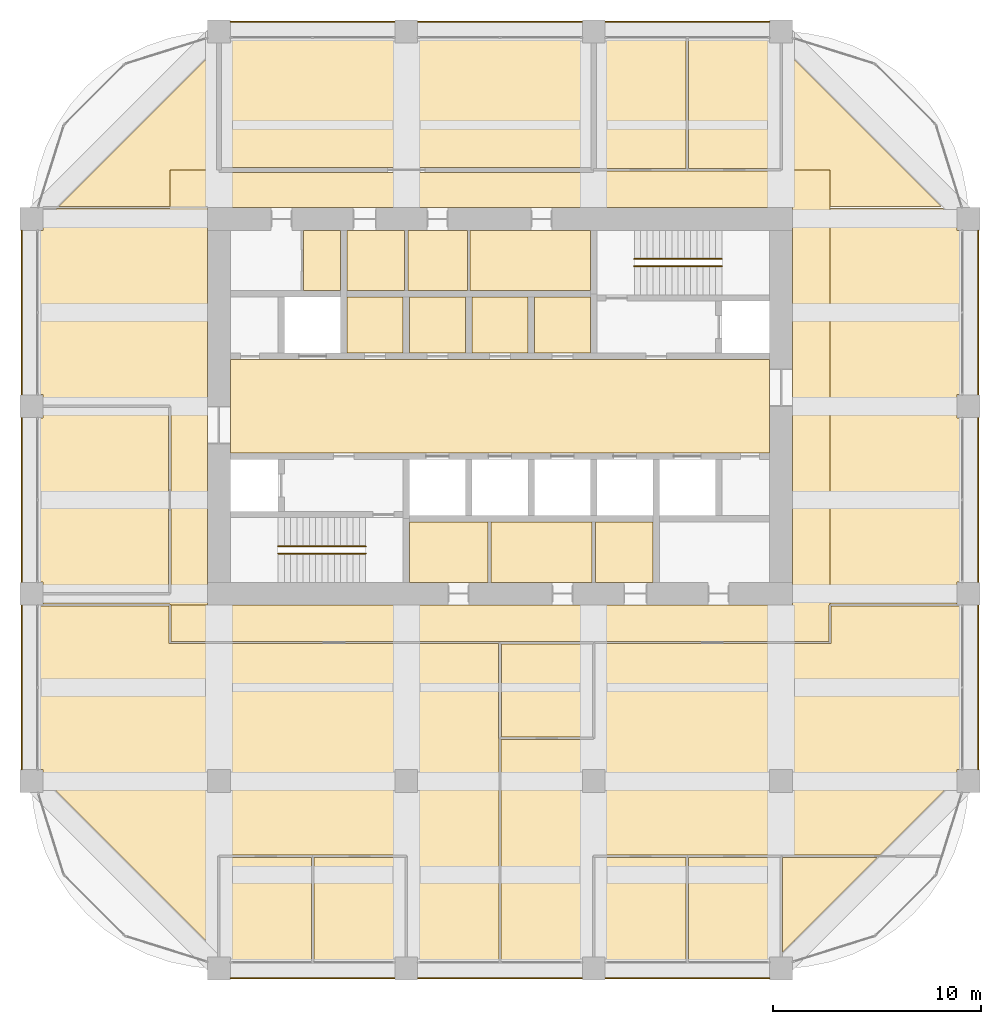
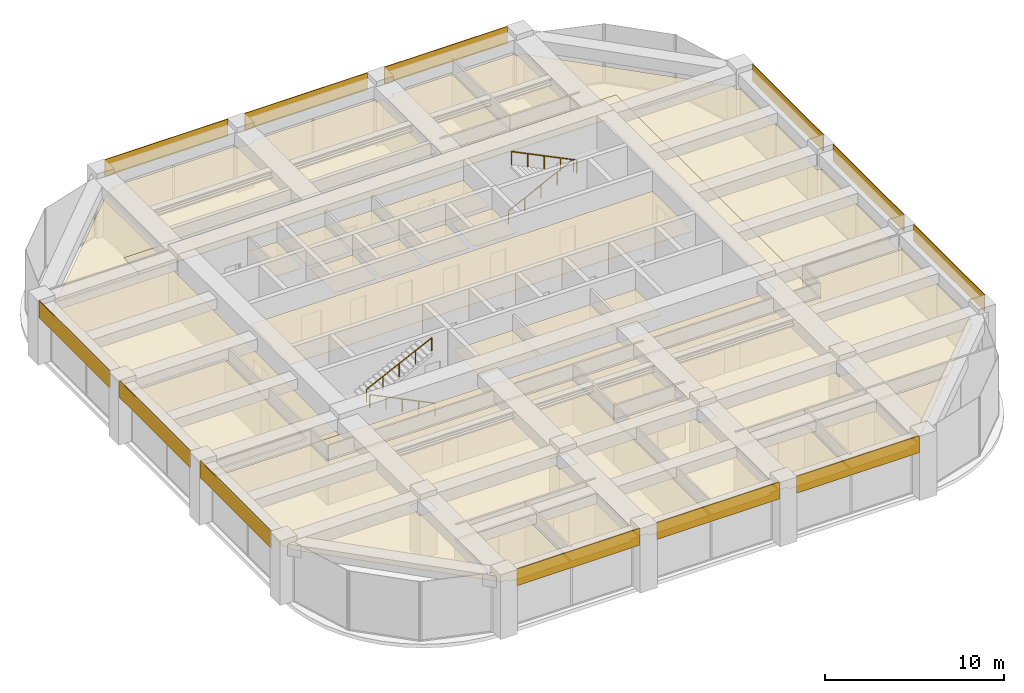
# One storey, part 44 of 44: 41 coverings, 4 railings.
"""IFC4 building model written with IfcOpenShell, lengths in metres."""

from ifc_helpers import new_model, si_unit, direction, frame, frame_2d, origin, origin_2d, place, context, subcontext, project, spatial, polyline, rectangle, circle, outline, extrude, material, layer, layer_set, type_object, element, save


model = new_model("IFC4")

# Units and contexts
model_context = context("Model", 3, precision=1e-05, world=origin(), true_north=direction((0.0, 1.0)))
body_context = subcontext(model_context, "Body", "Model", "MODEL_VIEW")
ifc_project = project(units=[si_unit("LENGTHUNIT", "METRE"), si_unit("AREAUNIT", "SQUARE_METRE"), si_unit("VOLUMEUNIT", "CUBIC_METRE"), si_unit("PLANEANGLEUNIT", "RADIAN"), si_unit("MASSUNIT", "GRAM", prefix="KILO")], contexts=[model_context])

# Site, building, storey
site_placement = place(None, origin())
site = spatial("IfcSite", under=ifc_project, at=site_placement, CompositionType="ELEMENT")
building_placement = place(site_placement, origin())
building = spatial("IfcBuilding", under=site, at=building_placement, Name="Zorevar Civic Tower", CompositionType="ELEMENT")
storey_placement = place(building_placement, frame((0.0, 0.0, 307.39990234375)))
storey = spatial("IfcBuildingStorey", under=building, at=storey_placement, Name="L75", CompositionType="ELEMENT", Elevation=307.39990234375)

# Coverings
ifc_material_1 = material(Name="Perforated black aluminium acoustic panels", Category="aluminium")
ifc_layer_1 = layer(ifc_material_1, 0.0400390625)
ifc_layer_set_1 = layer_set([ifc_layer_1], Name="Acoustic ceiling SC2")
covering_type_1 = type_object("IfcCoveringType", Name="Acoustic ceiling SC2", PredefinedType="CEILING", material=ifc_layer_set_1)
covering_1_placement = place(storey_placement, frame((0.0, 0.0, 3.0)))
element("IfcCovering", 1, at=covering_1_placement, inside=storey, type_object=covering_type_1, Name="Ceiling L75-21", PredefinedType="CEILING", context=body_context, shape_type="SweptSolid", body=[
    extrude(outline(polyline([(18.125, 38.47509765625), (18.125, 44.41796875), (18.147216796875, 44.43994140625), (18.56005859375, 44.43994140625), (18.56005859375, 44.64990234375), (26.43994140625, 44.64990234375), (26.43994140625, 44.43994140625), (27.56005859375, 44.43994140625), (27.56005859375, 44.64990234375), (35.43994140625, 44.64990234375), (35.43994140625, 44.43994140625), (35.875, 44.43994140625), (35.875, 38.47509765625), (18.125, 38.47509765625)])), origin(), (0.0, 0.0, 1.0), 0.0400390625),
])
covering_2_placement = place(storey_placement, frame((0.0, 0.0, 3.0)))
element("IfcCovering", 2, at=covering_2_placement, inside=storey, type_object=covering_type_1, Name="Ceiling L75-22", PredefinedType="CEILING", context=body_context, shape_type="SweptSolid", body=[
    extrude(outline(polyline([(36.125, 38.409912109375), (36.125, 44.43994140625), (36.56005859375, 44.43994140625), (36.56005859375, 44.64990234375), (40.43994140625, 44.64990234375), (40.43994140625, 38.409912109375), (36.125, 38.409912109375)])), origin(), (0.0, 0.0, 1.0), 0.0400390625),
])
covering_3_placement = place(storey_placement, frame((0.0, 0.0, 3.0)))
element("IfcCovering", 3, at=covering_3_placement, inside=storey, type_object=covering_type_1, Name="Ceiling L75-31", PredefinedType="CEILING", context=body_context, shape_type="SweptSolid", body=[
    extrude(outline(polyline([(15.64990234375, 36.550048828125), (15.64990234375, 38.35009765625), (18.0, 38.35009765625), (18.0, 38.22509765625), (36.0, 38.22509765625), (36.0, 38.2900390625), (45.0, 38.2900390625), (45.0, 38.35009765625), (47.35009765625, 38.35009765625), (47.35009765625, 17.449951171875), (47.300048828125, 17.449951171875), (47.300048828125, 15.699951171875), (36.010009765625, 15.699951171875), (36.010009765625, 15.64990234375), (36.0, 15.64990234375), (36.0, 15.7099609375), (31.5, 15.7099609375), (31.5, 15.64990234375), (31.489990234375, 15.64990234375), (31.489990234375, 15.699951171875), (15.699951171875, 15.699951171875), (15.699951171875, 17.449951171875), (45.550048828125, 17.449951171875), (45.550048828125, 36.550048828125), (15.64990234375, 36.550048828125)])), origin(), (0.0, 0.0, 1.0), 0.0400390625),
])

# Railings
ifc_material_2 = material(Name="Black steel handrail", Category="steel")
railing_type = type_object("IfcRailingType", Name="Handrail HR1 900", PredefinedType="HANDRAIL", material=ifc_material_2)
railing_1_placement = place(storey_placement, frame((25.050048828125, 19.925048828125, 0.146728515625)))
element("IfcRailing", 4, at=railing_1_placement, inside=storey, type_object=railing_type, Name="Handrail HR1 ST1 L75", PredefinedType="HANDRAIL", context=body_context, shape_type="SweptSolid", body=[
    extrude(circle(Radius=0.02392578125, at=origin_2d()), frame((0.0, 0.0, 0.8759765625), z_axis=(-0.898371081318, 0.0, 0.439237293784), x_axis=(0.0, -1.0, 0.0)), (0.0, 0.0, 1.0), 4.675048828125),
    extrude(circle(Radius=0.02099609375, at=origin_2d()), origin(), (0.0, 0.0, 1.0), 0.851806640625),
    extrude(circle(Radius=0.02099609375, at=origin_2d()), frame((-1.050048828125, 0.0, 0.513427734375)), (0.0, 0.0, 1.0), 0.851806640625),
    extrude(circle(Radius=0.02099609375, at=origin_2d()), frame((-2.10009765625, 0.0, 1.02685546875)), (0.0, 0.0, 1.0), 0.851806640625),
    extrude(circle(Radius=0.02099609375, at=origin_2d()), frame((-3.14990234375, 0.0, 1.5400390625)), (0.0, 0.0, 1.0), 0.851806640625),
    extrude(circle(Radius=0.02099609375, at=origin_2d()), frame((-4.199951171875, 0.0, 2.053466796875)), (0.0, 0.0, 1.0), 0.851806640625),
])
for number, where, name in (
    (5, (20.85009765625, 20.27490234375, 2.3466796875), "Handrail HR1 ST1 L75"),
    (6, (37.949951171875, 34.074951171875, 0.146728515625), "Handrail HR1 ST2 L75"),
):
    element("IfcRailing", number, at=place(storey_placement, frame(where)), inside=storey, type_object=railing_type, Name=name, PredefinedType="HANDRAIL", context=body_context, shape_type="SweptSolid", body=[
        extrude(circle(Radius=0.02392578125, at=origin_2d()), frame((0.0, 0.0, 0.8759765625), z_axis=(0.898371081318, 0.0, 0.439237293784), x_axis=(0.0, 1.0, 0.0)), (0.0, 0.0, 1.0), 4.675048828125),
        extrude(circle(Radius=0.02099609375, at=origin_2d()), origin(), (0.0, 0.0, 1.0), 0.851806640625),
        extrude(circle(Radius=0.02099609375, at=origin_2d()), frame((1.050048828125, 0.0, 0.513427734375)), (0.0, 0.0, 1.0), 0.851806640625),
        extrude(circle(Radius=0.02099609375, at=origin_2d()), frame((2.10009765625, 0.0, 1.02685546875)), (0.0, 0.0, 1.0), 0.851806640625),
        extrude(circle(Radius=0.02099609375, at=origin_2d()), frame((3.14990234375, 0.0, 1.5400390625)), (0.0, 0.0, 1.0), 0.851806640625),
        extrude(circle(Radius=0.02099609375, at=origin_2d()), frame((4.199951171875, 0.0, 2.053466796875)), (0.0, 0.0, 1.0), 0.851806640625),
    ])
railing_2_placement = place(storey_placement, frame((42.14990234375, 33.72509765625, 2.3466796875)))
element("IfcRailing", 7, at=railing_2_placement, inside=storey, type_object=railing_type, Name="Handrail HR1 ST2 L75", PredefinedType="HANDRAIL", context=body_context, shape_type="SweptSolid", body=[
    extrude(circle(Radius=0.02392578125, at=origin_2d()), frame((0.0, 0.0, 0.8759765625), z_axis=(-0.898371081318, 0.0, 0.439237293784), x_axis=(0.0, -1.0, 0.0)), (0.0, 0.0, 1.0), 4.675048828125),
    extrude(circle(Radius=0.02099609375, at=origin_2d()), origin(), (0.0, 0.0, 1.0), 0.851806640625),
    extrude(circle(Radius=0.02099609375, at=origin_2d()), frame((-1.050048828125, 0.0, 0.513427734375)), (0.0, 0.0, 1.0), 0.851806640625),
    extrude(circle(Radius=0.02099609375, at=origin_2d()), frame((-2.10009765625, 0.0, 1.02685546875)), (0.0, 0.0, 1.0), 0.851806640625),
    extrude(circle(Radius=0.02099609375, at=origin_2d()), frame((-3.14990234375, 0.0, 1.5400390625)), (0.0, 0.0, 1.0), 0.851806640625),
    extrude(circle(Radius=0.02099609375, at=origin_2d()), frame((-4.199951171875, 0.0, 2.053466796875)), (0.0, 0.0, 1.0), 0.851806640625),
])

# Coverings
ifc_material_3 = material(Name="Moisture-resistant gypsum board")
ifc_layer_2 = layer(ifc_material_3, 0.012451171875)
ifc_layer_set_2 = layer_set([ifc_layer_2], Name="Moisture-resistant ceiling SC3")
covering_type_2 = type_object("IfcCoveringType", Name="Moisture-resistant ceiling SC3", PredefinedType="CEILING", material=ifc_layer_set_2)
covering_4_placement = place(storey_placement, frame((0.0, 0.0, 3.0)))
element("IfcCovering", 8, at=covering_4_placement, inside=storey, type_object=covering_type_2, Name="Ceiling L75-05", PredefinedType="CEILING", context=body_context, shape_type="SweptSolid", body=[
    extrude(outline(polyline([(30.925048828125, 18.550048828125), (30.925048828125, 21.449951171875), (27.14990234375, 21.449951171875), (27.14990234375, 18.550048828125), (30.925048828125, 18.550048828125)])), origin(), (0.0, 0.0, 1.0), 0.0126953125),
])
covering_5_placement = place(storey_placement, frame((0.0, 0.0, 3.0)))
element("IfcCovering", 9, at=covering_5_placement, inside=storey, type_object=covering_type_2, Name="Ceiling L75-06", PredefinedType="CEILING", context=body_context, shape_type="SweptSolid", body=[
    extrude(outline(polyline([(35.925048828125, 18.550048828125), (35.925048828125, 21.449951171875), (31.074951171875, 21.449951171875), (31.074951171875, 18.550048828125), (35.925048828125, 18.550048828125)])), origin(), (0.0, 0.0, 1.0), 0.0126953125),
])
covering_6_placement = place(storey_placement, frame((0.0, 0.0, 3.0)))
element("IfcCovering", 10, at=covering_6_placement, inside=storey, type_object=covering_type_2, Name="Ceiling L75-07", PredefinedType="CEILING", context=body_context, shape_type="SweptSolid", body=[
    extrude(outline(polyline([(38.85009765625, 18.550048828125), (38.85009765625, 21.449951171875), (36.074951171875, 21.449951171875), (36.074951171875, 18.550048828125), (38.85009765625, 18.550048828125)])), origin(), (0.0, 0.0, 1.0), 0.0126953125),
])
covering_7_placement = place(storey_placement, frame((0.0, 0.0, 3.0)))
element("IfcCovering", 11, at=covering_7_placement, inside=storey, type_object=covering_type_2, Name="Ceiling L75-10", PredefinedType="CEILING", context=body_context, shape_type="SweptSolid", body=[
    extrude(outline(polyline([(26.925048828125, 32.550048828125), (26.925048828125, 35.449951171875), (24.14990234375, 35.449951171875), (24.14990234375, 32.550048828125), (26.925048828125, 32.550048828125)])), origin(), (0.0, 0.0, 1.0), 0.0126953125),
])
ifc_material_4 = material(Name="Black anodised aluminium spandrel panel", Category="aluminium")
ifc_layer_3 = layer(ifc_material_4, 0.050048828125)
ifc_layer_set_3 = layer_set([ifc_layer_3], Name="Spandrel cladding SP1")
covering_type_3 = type_object("IfcCoveringType", Name="Spandrel cladding SP1", PredefinedType="CLADDING", material=ifc_layer_set_3)
for number, where, z_axis, x_axis, name in (
    (12, (18.550048828125, -0.47509765625, 3.25), (0.0, 0.0, 1.0), (1.0, 0.0, 0.0), "Spandrel cladding RF"),
    (13, (27.550048828125, -0.47509765625, 3.25), (0.0, 0.0, 1.0), (1.0, 0.0, 0.0), "Spandrel cladding RF"),
    (14, (36.550048828125, -0.47509765625, 3.25), (0.0, 0.0, 1.0), (1.0, 0.0, 0.0), "Spandrel cladding RF"),
    (15, (18.550048828125, 45.47509765625, 3.25), (0.0, 0.0, 1.0), (1.0, 0.0, 0.0), "Spandrel cladding RF"),
    (16, (27.550048828125, 45.47509765625, 3.25), (0.0, 0.0, 1.0), (1.0, 0.0, 0.0), "Spandrel cladding RF"),
    (17, (36.550048828125, 45.47509765625, 3.25), (0.0, 0.0, 1.0), (1.0, 0.0, 0.0), "Spandrel cladding RF"),
    (18, (8.52490234375, 9.550048828125, 3.25), (0.0, 0.0, 1.0), (0.0, 1.0, 0.0), "Spandrel cladding RF"),
    (19, (8.52490234375, 18.550048828125, 3.25), (0.0, 0.0, 1.0), (0.0, 1.0, 0.0), "Spandrel cladding RF"),
    (20, (8.52490234375, 27.550048828125, 3.25), (0.0, 0.0, 1.0), (0.0, 1.0, 0.0), "Spandrel cladding RF"),
    (21, (54.47509765625, 9.550048828125, 3.25), (0.0, 0.0, 1.0), (0.0, 1.0, 0.0), "Spandrel cladding RF"),
    (22, (54.47509765625, 18.550048828125, 3.25), (0.0, 0.0, 1.0), (0.0, 1.0, 0.0), "Spandrel cladding RF"),
    (23, (54.47509765625, 27.550048828125, 3.25), (0.0, 0.0, 1.0), (0.0, 1.0, 0.0), "Spandrel cladding RF"),
):
    element("IfcCovering", number, at=place(storey_placement, frame(where, z_axis=z_axis, x_axis=x_axis)), inside=storey, type_object=covering_type_3, Name=name, PredefinedType="CLADDING", context=body_context, shape_type="SweptSolid", body=[
        extrude(rectangle(XDim=7.89990234375, YDim=0.050048828125, at=frame_2d((3.949951171875, 0.0))), origin(), (0.0, 0.0, 1.0), 1.150146484375),
    ])
ifc_material_5 = material(Name="Mineral fibre tiles on a concealed grid")
ifc_layer_4 = layer(ifc_material_5, 0.02001953125)
ifc_layer_set_4 = layer_set([ifc_layer_4], Name="Suspended ceiling SC1")
covering_type_4 = type_object("IfcCoveringType", Name="Suspended ceiling SC1", PredefinedType="CEILING", material=ifc_layer_set_4)
covering_8_placement = place(storey_placement, frame((0.0, 0.0, 3.0)))
element("IfcCovering", 24, at=covering_8_placement, inside=storey, type_object=covering_type_4, Name="Ceiling L75-08", PredefinedType="CEILING", context=body_context, shape_type="SweptSolid", body=[
    extrude(outline(polyline([(35.85009765625, 32.550048828125), (35.85009765625, 35.449951171875), (30.06005859375, 35.449951171875), (30.06005859375, 32.550048828125), (35.85009765625, 32.550048828125)])), origin(), (0.0, 0.0, 1.0), 0.02001953125),
])
covering_9_placement = place(storey_placement, frame((0.0, 0.0, 3.0)))
element("IfcCovering", 25, at=covering_9_placement, inside=storey, type_object=covering_type_4, Name="Ceiling L75-09", PredefinedType="CEILING", context=body_context, shape_type="SweptSolid", body=[
    extrude(outline(polyline([(29.93994140625, 32.550048828125), (29.93994140625, 35.449951171875), (27.074951171875, 35.449951171875), (27.074951171875, 32.550048828125), (29.93994140625, 32.550048828125)])), origin(), (0.0, 0.0, 1.0), 0.02001953125),
])
covering_10_placement = place(storey_placement, frame((0.0, 0.0, 3.0)))
element("IfcCovering", 26, at=covering_10_placement, inside=storey, type_object=covering_type_4, Name="Ceiling L75-12", PredefinedType="CEILING", context=body_context, shape_type="SweptSolid", body=[
    extrude(outline(polyline([(23.85009765625, 32.550048828125), (23.85009765625, 35.449951171875), (22.06005859375, 35.449951171875), (22.06005859375, 32.550048828125), (23.85009765625, 32.550048828125)])), origin(), (0.0, 0.0, 1.0), 0.02001953125),
])
covering_11_placement = place(storey_placement, frame((0.0, 0.0, 3.0)))
element("IfcCovering", 27, at=covering_11_placement, inside=storey, type_object=covering_type_4, Name="Ceiling L75-16", PredefinedType="CEILING", context=body_context, shape_type="SweptSolid", body=[
    extrude(outline(polyline([(44.449951171875, 24.75), (44.449951171875, 29.25), (18.550048828125, 29.25), (18.550048828125, 24.75), (44.449951171875, 24.75)])), origin(), (0.0, 0.0, 1.0), 0.02001953125),
])
covering_12_placement = place(storey_placement, frame((0.0, 0.0, 3.0)))
element("IfcCovering", 28, at=covering_12_placement, inside=storey, type_object=covering_type_4, Name="Ceiling L75-17", PredefinedType="CEILING", context=body_context, shape_type="SweptSolid", body=[
    extrude(outline(polyline([(35.85009765625, 29.550048828125), (35.85009765625, 32.25), (33.14990234375, 32.25), (33.14990234375, 29.550048828125), (35.85009765625, 29.550048828125)])), origin(), (0.0, 0.0, 1.0), 0.02001953125),
])
covering_13_placement = place(storey_placement, frame((0.0, 0.0, 3.0)))
element("IfcCovering", 29, at=covering_13_placement, inside=storey, type_object=covering_type_4, Name="Ceiling L75-18", PredefinedType="CEILING", context=body_context, shape_type="SweptSolid", body=[
    extrude(outline(polyline([(32.85009765625, 29.550048828125), (32.85009765625, 32.25), (30.14990234375, 32.25), (30.14990234375, 29.550048828125), (32.85009765625, 29.550048828125)])), origin(), (0.0, 0.0, 1.0), 0.02001953125),
])
covering_14_placement = place(storey_placement, frame((0.0, 0.0, 3.0)))
element("IfcCovering", 30, at=covering_14_placement, inside=storey, type_object=covering_type_4, Name="Ceiling L75-19", PredefinedType="CEILING", context=body_context, shape_type="SweptSolid", body=[
    extrude(outline(polyline([(29.85009765625, 29.550048828125), (29.85009765625, 32.25), (27.14990234375, 32.25), (27.14990234375, 29.550048828125), (29.85009765625, 29.550048828125)])), origin(), (0.0, 0.0, 1.0), 0.02001953125),
])
covering_15_placement = place(storey_placement, frame((0.0, 0.0, 3.0)))
element("IfcCovering", 31, at=covering_15_placement, inside=storey, type_object=covering_type_4, Name="Ceiling L75-20", PredefinedType="CEILING", context=body_context, shape_type="SweptSolid", body=[
    extrude(outline(polyline([(26.85009765625, 29.550048828125), (26.85009765625, 32.25), (24.14990234375, 32.25), (24.14990234375, 29.550048828125), (26.85009765625, 29.550048828125)])), origin(), (0.0, 0.0, 1.0), 0.02001953125),
])
covering_16_placement = place(storey_placement, frame((0.0, 0.0, 3.0)))
element("IfcCovering", 32, at=covering_16_placement, inside=storey, type_object=covering_type_4, Name="Ceiling L75-23", PredefinedType="CEILING", context=body_context, shape_type="SweptSolid", body=[
    extrude(outline(polyline([(40.56005859375, 44.64990234375), (44.43994140625, 44.64990234375), (44.43994140625, 44.43994140625), (44.852783203125, 44.43994140625), (44.93994140625, 44.352783203125), (44.93994140625, 38.409912109375), (40.56005859375, 38.409912109375), (40.56005859375, 44.64990234375)])), origin(), (0.0, 0.0, 1.0), 0.02001953125),
])
covering_17_placement = place(storey_placement, frame((0.0, 0.0, 3.0)))
element("IfcCovering", 33, at=covering_17_placement, inside=storey, type_object=covering_type_4, Name="Ceiling L75-24", PredefinedType="CEILING", context=body_context, shape_type="SweptSolid", body=[
    extrude(outline(polyline([(22.43994140625, 0.35009765625), (18.56005859375, 0.35009765625), (18.56005859375, 0.56005859375), (18.147216796875, 0.56005859375), (18.06005859375, 0.647216796875), (18.06005859375, 5.340087890625), (22.43994140625, 5.340087890625), (22.43994140625, 0.35009765625)])), origin(), (0.0, 0.0, 1.0), 0.02001953125),
])
covering_18_placement = place(storey_placement, frame((0.0, 0.0, 3.0)))
element("IfcCovering", 34, at=covering_18_placement, inside=storey, type_object=covering_type_4, Name="Ceiling L75-25", PredefinedType="CEILING", context=body_context, shape_type="SweptSolid", body=[
    extrude(outline(polyline([(26.93994140625, 5.340087890625), (26.93994140625, 0.56005859375), (26.43994140625, 0.56005859375), (26.43994140625, 0.35009765625), (22.56005859375, 0.35009765625), (22.56005859375, 5.340087890625), (26.93994140625, 5.340087890625)])), origin(), (0.0, 0.0, 1.0), 0.02001953125),
])
covering_19_placement = place(storey_placement, frame((0.0, 0.0, 3.0)))
element("IfcCovering", 35, at=covering_19_placement, inside=storey, type_object=covering_type_4, Name="Ceiling L75-26", PredefinedType="CEILING", context=body_context, shape_type="SweptSolid", body=[
    extrude(outline(polyline([(40.43994140625, 5.340087890625), (40.43994140625, 0.35009765625), (36.56005859375, 0.35009765625), (36.56005859375, 0.56005859375), (36.06005859375, 0.56005859375), (36.06005859375, 5.340087890625), (40.43994140625, 5.340087890625)])), origin(), (0.0, 0.0, 1.0), 0.02001953125),
])
covering_20_placement = place(storey_placement, frame((0.0, 0.0, 3.0)))
element("IfcCovering", 36, at=covering_20_placement, inside=storey, type_object=covering_type_4, Name="Ceiling L75-27", PredefinedType="CEILING", context=body_context, shape_type="SweptSolid", body=[
    extrude(outline(polyline([(44.93994140625, 0.647216796875), (44.852783203125, 0.56005859375), (44.43994140625, 0.56005859375), (44.43994140625, 0.35009765625), (40.56005859375, 0.35009765625), (40.56005859375, 5.340087890625), (44.93994140625, 5.340087890625), (44.93994140625, 0.647216796875)])), origin(), (0.0, 0.0, 1.0), 0.02001953125),
])
covering_21_placement = place(storey_placement, frame((0.0, 0.0, 3.0)))
element("IfcCovering", 37, at=covering_21_placement, inside=storey, type_object=covering_type_4, Name="Ceiling L75-28", PredefinedType="CEILING", context=body_context, shape_type="SweptSolid", body=[
    extrude(outline(polyline([(9.56005859375, 18.56005859375), (9.35009765625, 18.56005859375), (9.35009765625, 26.43994140625), (9.56005859375, 26.43994140625), (9.56005859375, 26.93994140625), (15.590087890625, 26.93994140625), (15.590087890625, 18.06005859375), (9.56005859375, 18.06005859375), (9.56005859375, 18.56005859375)])), origin(), (0.0, 0.0, 1.0), 0.02001953125),
])
covering_22_placement = place(storey_placement, frame((0.0, 0.0, 3.0)))
element("IfcCovering", 38, at=covering_22_placement, inside=storey, type_object=covering_type_4, Name="Ceiling L75-29", PredefinedType="CEILING", context=body_context, shape_type="SweptSolid", body=[
    extrude(outline(polyline([(31.56005859375, 15.590087890625), (35.93994140625, 15.590087890625), (35.93994140625, 11.110107421875), (31.56005859375, 11.110107421875), (31.56005859375, 15.590087890625)])), origin(), (0.0, 0.0, 1.0), 0.02001953125),
])
covering_23_placement = place(storey_placement, frame((0.0, 0.0, 3.0)))
element("IfcCovering", 39, at=covering_23_placement, inside=storey, type_object=covering_type_4, Name="Ceiling L75-30", PredefinedType="CEILING", context=body_context, shape_type="SweptSolid", body=[
    extrude(outline(polyline([(45.06005859375, 5.340087890625), (49.6328125, 5.340087890625), (45.06005859375, 0.76708984375), (45.06005859375, 5.340087890625)])), origin(), (0.0, 0.0, 1.0), 0.02001953125),
])
covering_24_placement = place(storey_placement, frame((0.0, 0.0, 3.0)))
element("IfcCovering", 40, at=covering_24_placement, inside=storey, type_object=covering_type_4, Name="Ceiling L75-32", PredefinedType="CEILING", context=body_context, shape_type="SweptSolid", body=[
    extrude(outline(polyline([(53.43994140625, 17.5), (47.35009765625, 17.5), (47.35009765625, 36.5), (52.79296875, 36.5), (53.43994140625, 35.852783203125), (53.43994140625, 35.43994140625), (53.64990234375, 35.43994140625), (53.64990234375, 27.56005859375), (53.43994140625, 27.56005859375), (53.43994140625, 26.43994140625), (53.64990234375, 26.43994140625), (53.64990234375, 18.56005859375), (53.43994140625, 18.56005859375), (53.43994140625, 17.5)])), origin(), (0.0, 0.0, 1.0), 0.02001953125),
])
covering_25_placement = place(storey_placement, frame((0.0, 0.0, 3.0)))
element("IfcCovering", 41, at=covering_25_placement, inside=storey, type_object=covering_type_4, Name="Ceiling L75-33", PredefinedType="CEILING", context=body_context, shape_type="SweptSolid", body=[
    extrude(outline(polyline([(47.35009765625, 36.60009765625), (47.35009765625, 38.35009765625), (45.06005859375, 38.35009765625), (45.06005859375, 44.23291015625), (52.69287109375, 36.60009765625), (47.35009765625, 36.60009765625)])), origin(), (0.0, 0.0, 1.0), 0.02001953125),
])
covering_26_placement = place(storey_placement, frame((0.0, 0.0, 3.0)))
element("IfcCovering", 42, at=covering_26_placement, inside=storey, type_object=covering_type_4, Name="Ceiling L75-34", PredefinedType="CEILING", context=body_context, shape_type="SweptSolid", body=[
    extrude(outline(polyline([(17.875, 38.35009765625), (15.64990234375, 38.35009765625), (15.64990234375, 36.60009765625), (10.30712890625, 36.60009765625), (17.875, 44.16796875), (17.875, 38.35009765625)])), origin(), (0.0, 0.0, 1.0), 0.02001953125),
])
covering_27_placement = place(storey_placement, frame((0.0, 0.0, 3.0)))
element("IfcCovering", 43, at=covering_27_placement, inside=storey, type_object=covering_type_4, Name="Ceiling L75-35", PredefinedType="CEILING", context=body_context, shape_type="SweptSolid", body=[
    extrude(outline(polyline([(9.56005859375, 9.56005859375), (9.35009765625, 9.56005859375), (9.35009765625, 17.39990234375), (15.60009765625, 17.39990234375), (15.60009765625, 15.60009765625), (31.43994140625, 15.60009765625), (31.43994140625, 11.050048828125), (31.449951171875, 11.050048828125), (31.449951171875, 0.35009765625), (27.56005859375, 0.35009765625), (27.56005859375, 0.56005859375), (27.06005859375, 0.56005859375), (27.06005859375, 5.39990234375), (27.0, 5.39990234375), (27.0, 5.4599609375), (18.0, 5.4599609375), (18.0, 5.39990234375), (17.93994140625, 5.39990234375), (17.93994140625, 0.76708984375), (9.56005859375, 9.147216796875), (9.56005859375, 9.56005859375)]), holes=[polyline([(18.56005859375, 8.43994140625), (18.56005859375, 9.56005859375), (17.43994140625, 9.56005859375), (17.43994140625, 8.43994140625), (18.56005859375, 8.43994140625)]), polyline([(26.43994140625, 9.56005859375), (26.43994140625, 8.43994140625), (27.56005859375, 8.43994140625), (27.56005859375, 9.56005859375), (26.43994140625, 9.56005859375)])]), origin(), (0.0, 0.0, 1.0), 0.02001953125),
])
covering_28_placement = place(storey_placement, frame((0.0, 0.0, 3.0)))
element("IfcCovering", 44, at=covering_28_placement, inside=storey, type_object=covering_type_4, Name="Ceiling L75-36", PredefinedType="CEILING", context=body_context, shape_type="SweptSolid", body=[
    extrude(outline(polyline([(53.43994140625, 9.56005859375), (53.43994140625, 9.147216796875), (49.7529296875, 5.4599609375), (36.0, 5.4599609375), (36.0, 5.39990234375), (35.93994140625, 5.39990234375), (35.93994140625, 0.56005859375), (35.43994140625, 0.56005859375), (35.43994140625, 0.35009765625), (31.550048828125, 0.35009765625), (31.550048828125, 10.989990234375), (36.0, 10.989990234375), (36.0, 11.050048828125), (36.06005859375, 11.050048828125), (36.06005859375, 15.60009765625), (47.39990234375, 15.60009765625), (47.39990234375, 17.39990234375), (53.64990234375, 17.39990234375), (53.64990234375, 9.56005859375), (53.43994140625, 9.56005859375)]), holes=[polyline([(36.56005859375, 8.43994140625), (36.56005859375, 9.56005859375), (35.43994140625, 9.56005859375), (35.43994140625, 8.43994140625), (36.56005859375, 8.43994140625)]), polyline([(44.43994140625, 8.43994140625), (45.56005859375, 8.43994140625), (45.56005859375, 9.56005859375), (44.43994140625, 9.56005859375), (44.43994140625, 8.43994140625)])]), origin(), (0.0, 0.0, 1.0), 0.02001953125),
])
covering_29_placement = place(storey_placement, frame((0.0, 0.0, 3.0)))
element("IfcCovering", 45, at=covering_29_placement, inside=storey, type_object=covering_type_4, Name="Ceiling L75-37", PredefinedType="CEILING", context=body_context, shape_type="SweptSolid", body=[
    extrude(outline(polyline([(9.56005859375, 27.56005859375), (9.35009765625, 27.56005859375), (9.35009765625, 35.43994140625), (9.56005859375, 35.43994140625), (9.56005859375, 35.852783203125), (10.20703125, 36.5), (15.64990234375, 36.5), (15.64990234375, 36.550048828125), (17.449951171875, 36.550048828125), (17.449951171875, 17.449951171875), (15.64990234375, 17.449951171875), (15.64990234375, 17.5), (9.56005859375, 17.5), (9.56005859375, 17.93994140625), (15.64990234375, 17.93994140625), (15.64990234375, 18.0), (15.7099609375, 18.0), (15.7099609375, 27.0), (15.64990234375, 27.0), (15.64990234375, 27.06005859375), (9.56005859375, 27.06005859375), (9.56005859375, 27.56005859375)])), origin(), (0.0, 0.0, 1.0), 0.02001953125),
])

save(model, "model.ifc")
